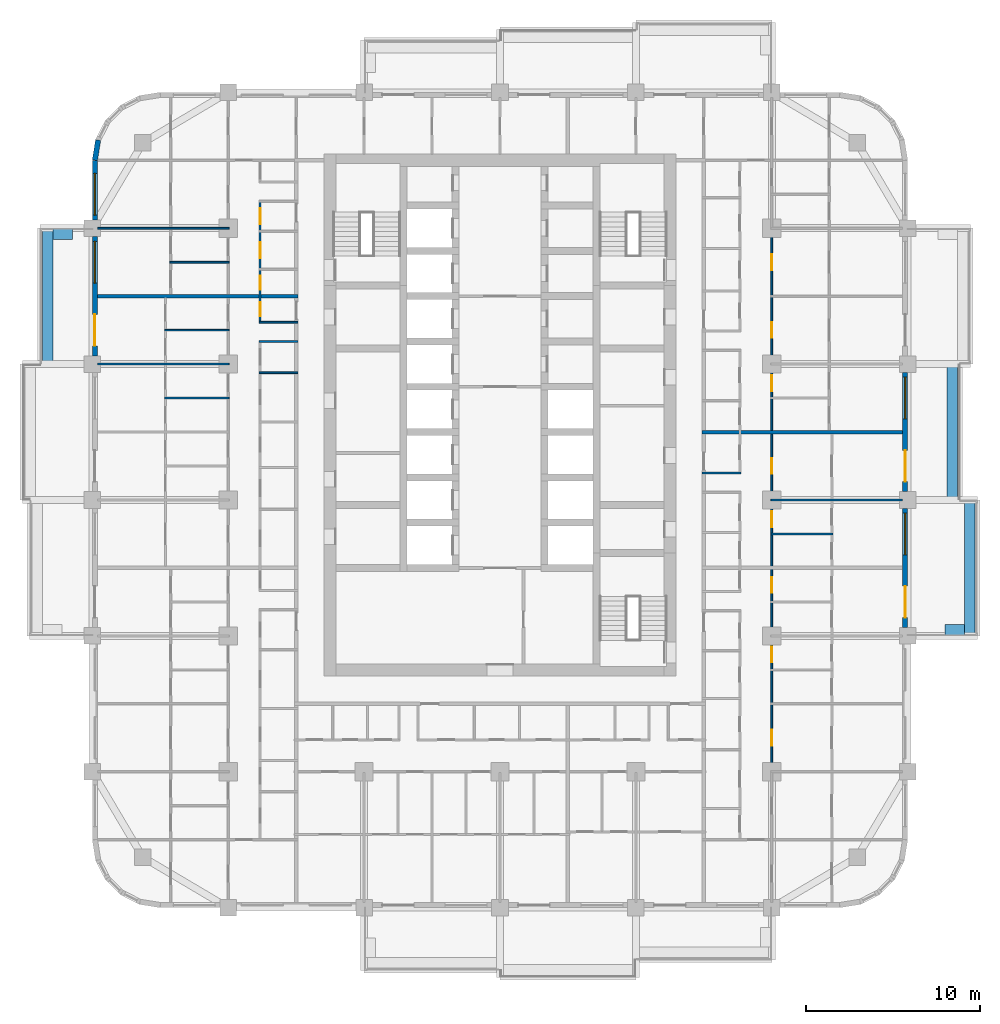
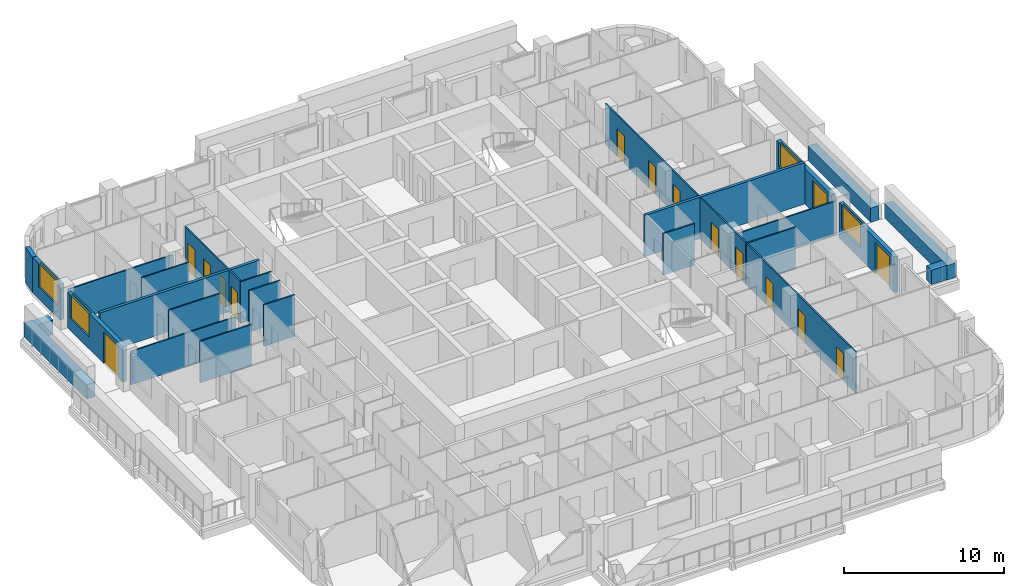
# One storey, part 9 of 17: 25 walls, 15 doors, 4 windows, 19 openings.
"""IFC4 building model written with IfcOpenShell, lengths in metres."""

from ifc_helpers import new_model, si_unit, direction, frame, frame_2d, origin, place, context, subcontext, project, spatial, rectangle, extrude, material, layer, layer_set, type_object, element, fill, save


model = new_model("IFC4")

# Units and contexts
model_context = context("Model", 3, precision=1e-05, world=origin(), true_north=direction((0.0, 1.0)))
body_context = subcontext(model_context, "Body", "Model", "MODEL_VIEW")
ifc_project = project(units=[si_unit("LENGTHUNIT", "METRE"), si_unit("AREAUNIT", "SQUARE_METRE"), si_unit("VOLUMEUNIT", "CUBIC_METRE"), si_unit("PLANEANGLEUNIT", "RADIAN"), si_unit("MASSUNIT", "GRAM", prefix="KILO")], contexts=[model_context])

# Site, building, storey
site_placement = place(None, origin())
site = spatial("IfcSite", under=ifc_project, at=site_placement, CompositionType="ELEMENT")
building_placement = place(site_placement, origin())
building = spatial("IfcBuilding", under=site, at=building_placement, Name="Ludao Terraces", CompositionType="ELEMENT")
storey_placement = place(building_placement, frame((0.0, 0.0, 88.60009765625)))
storey = spatial("IfcBuildingStorey", under=building, at=storey_placement, Name="L24", CompositionType="ELEMENT", Elevation=88.60009765625)

# Walls
ifc_material_1 = material(Name="Concrete C40", Category="concrete")
ifc_layer_1 = layer(ifc_material_1, 0.60009765625)
ifc_layer_set_1 = layer_set([ifc_layer_1], Name="ENV Planter trough 600")
wall_type_1 = type_object("IfcWallType", Name="ENV Planter trough 600", PredefinedType="USERDEFINED", material=ifc_layer_set_1)
wall_1_placement = place(storey_placement, frame((111.949951171875, 57.199951171875, 0.0), z_axis=(0.0, 0.0, 1.0), x_axis=(0.0, 1.0, 0.0)))
element("IfcWall", 1, at=wall_1_placement, inside=storey, type_object=wall_type_1, Name="PL-L24-E2", ObjectType="PLANTER", PredefinedType="USERDEFINED", context=body_context, shape_type="SweptSolid", body=[
    extrude(rectangle(XDim=7.800048828125, YDim=0.60009765625, at=frame_2d((3.89990234375, 0.0))), origin(), (0.0, 0.0, 1.0), 1.099853515625),
])
wall_2_placement = place(storey_placement, frame((111.64990234375, 57.550048828125, 0.0), z_axis=(0.0, 0.0, 1.0), x_axis=(-1.0, 0.0, 0.0)))
element("IfcWall", 2, at=wall_2_placement, inside=storey, type_object=wall_type_1, Name="PL-L24-E2-SA", ObjectType="PLANTER", PredefinedType="USERDEFINED", context=body_context, shape_type="SweptSolid", body=[
    extrude(rectangle(XDim=1.099853515625, YDim=0.60009765625, at=frame_2d((0.5498046875, 0.0))), origin(), (0.0, 0.0, 1.0), 1.099853515625),
])
for number, where, z_axis, x_axis, name in (
    (3, (110.949951171875, 65.0, 0.0), (0.0, 0.0, 1.0), (0.0, 1.0, 0.0), "PL-L24-E3"),
    (4, (59.050048828125, 72.800048828125, 0.0), (0.0, 0.0, 1.0), (0.0, 1.0, 0.0), "PL-L24-W4"),
):
    element("IfcWall", number, at=place(storey_placement, frame(where, z_axis=z_axis, x_axis=x_axis)), inside=storey, type_object=wall_type_1, Name=name, ObjectType="PLANTER", PredefinedType="USERDEFINED", context=body_context, shape_type="SweptSolid", body=[
        extrude(rectangle(XDim=7.800048828125, YDim=0.60009765625, at=frame_2d((3.89990234375, 0.0))), origin(), (0.0, 0.0, 1.0), 1.099853515625),
    ])
wall_3_placement = place(storey_placement, frame((59.35009765625, 80.25, 0.0), z_axis=(0.0, 0.0, 1.0), x_axis=(1.0, 0.0, 0.0)))
element("IfcWall", 5, at=wall_3_placement, inside=storey, type_object=wall_type_1, Name="PL-L24-W4-SB", ObjectType="PLANTER", PredefinedType="USERDEFINED", context=body_context, shape_type="SweptSolid", body=[
    extrude(rectangle(XDim=1.099853515625, YDim=0.60009765625, at=frame_2d((0.5498046875, 0.0))), origin(), (0.0, 0.0, 1.0), 1.099853515625),
])

# Wall, openings, door, window
ifc_material_2 = material(Name="Granite cladding", Category="masonry")
ifc_layer_2 = layer(ifc_material_2, 0.0400390625, Category="stone")
ifc_material_3 = material(Name="Mineral wool")
ifc_layer_3 = layer(ifc_material_3, 0.06005859375)
ifc_layer_4 = layer(ifc_material_1, 0.199951171875, Category="concrete")
ifc_layer_set_2 = layer_set([ifc_layer_2, ifc_layer_3, ifc_layer_4], Name="ENV Stone-clad wall 300")
wall_type_2 = type_object("IfcWallType", Name="ENV Stone-clad wall 300", PredefinedType="SOLIDWALL", material=ifc_layer_set_2)
wall_4_placement = place(storey_placement, frame((108.25, 57.675048828125, 0.0), z_axis=(0.0, 0.0, 1.0), x_axis=(0.0, 1.0, 0.0)))
wall_4 = element("IfcWall", 6, at=wall_4_placement, inside=storey, type_object=wall_type_2, Name="EW-L24-E3", PredefinedType="SOLIDWALL", context=body_context, shape_type="SweptSolid", body=[
    extrude(rectangle(XDim=6.849853515625, YDim=0.300048828125, at=frame_2d((3.4248046875, 0.0))), origin(), (0.0, 0.0, 1.0), 2.699951171875),
])
opening_1_placement = place(wall_4_placement, frame((0.574951171875, 0.0, 0.0)))
opening_1 = element("IfcOpeningElement", 7, at=opening_1_placement, cuts=wall_4, Name="Opening BD", PredefinedType="OPENING", context=body_context, shape_type="SweptSolid", body=[
    extrude(rectangle(XDim=1.800048828125, YDim=2.39990234375, at=frame_2d((0.89990234375, 1.199951171875))), frame((0.0, 0.16015625, 0.0), z_axis=(0.0, -1.0, 0.0), x_axis=(1.0, 0.0, 0.0)), (0.0, 0.0, 1.0), 0.320068359375),
])
opening_2_placement = place(wall_4_placement, frame((4.175048828125, 0.0, 0.89990234375)))
opening_2 = element("IfcOpeningElement", 8, at=opening_2_placement, cuts=wall_4, Name="Opening W1", PredefinedType="OPENING", context=body_context, shape_type="SweptSolid", body=[
    extrude(rectangle(XDim=2.39990234375, YDim=1.800048828125, at=frame_2d((1.199951171875, 0.89990234375))), frame((0.0, 0.16015625, 0.0), z_axis=(0.0, -1.0, 0.0), x_axis=(1.0, 0.0, 0.0)), (0.0, 0.0, 1.0), 0.320068359375),
])
ifc_material_4 = material(Name="Aluminium glazed door", Category="aluminium")
ifc_layer_5 = layer(ifc_material_4, 0.06005859375)
ifc_layer_set_3 = layer_set([ifc_layer_5], Name="ENV Balcony door BD 1800x2400")
door_type_1 = type_object("IfcDoorType", Name="ENV Balcony door BD 1800x2400", OperationType="DOUBLE_DOOR_SINGLE_SWING", PredefinedType="DOOR", material=ifc_layer_set_3)
door_1_placement = place(opening_1_placement, origin())
door_1 = element("IfcDoor", 9, at=door_1_placement, inside=storey, type_object=door_type_1, Name="BD-L24-E3-1", OperationType="DOUBLE_DOOR_SINGLE_SWING", OverallHeight=2.39990234375, OverallWidth=1.800048828125, PredefinedType="DOOR", context=body_context, shape_type="SweptSolid", body=[
    extrude(rectangle(XDim=1.800048828125, YDim=2.39990234375, at=frame_2d((0.89990234375, 1.199951171875))), frame((0.0, 0.02490234375, 0.0), z_axis=(0.0, -1.0, 0.0), x_axis=(1.0, 0.0, 0.0)), (0.0, 0.0, 1.0), 0.050048828125),
])
fill(opening_1, door_1)
ifc_material_5 = material(Name="Clear glass in aluminium frame", Category="aluminium")
ifc_layer_6 = layer(ifc_material_5, 0.06005859375)
ifc_layer_set_4 = layer_set([ifc_layer_6], Name="ENV Window W1 2400x1800")
window_type = type_object("IfcWindowType", Name="ENV Window W1 2400x1800", PartitioningType="DOUBLE_PANEL_VERTICAL", PredefinedType="WINDOW", material=ifc_layer_set_4)
window_1_placement = place(opening_2_placement, origin())
window_1 = element("IfcWindow", 10, at=window_1_placement, inside=storey, type_object=window_type, Name="W-L24-E3-2", OverallHeight=1.800048828125, OverallWidth=2.39990234375, PartitioningType="DOUBLE_PANEL_VERTICAL", PredefinedType="WINDOW", context=body_context, shape_type="SweptSolid", body=[
    extrude(rectangle(XDim=2.39990234375, YDim=1.800048828125, at=frame_2d((1.199951171875, 0.89990234375))), frame((0.0, 0.030029296875, 0.0), z_axis=(0.0, -1.0, 0.0), x_axis=(1.0, 0.0, 0.0)), (0.0, 0.0, 1.0), 0.06005859375),
])
fill(opening_2, window_1)

wall_5_placement = place(storey_placement, frame((108.25, 65.47509765625, 0.0), z_axis=(0.0, 0.0, 1.0), x_axis=(0.0, 1.0, 0.0)))
wall_5 = element("IfcWall", 11, at=wall_5_placement, inside=storey, type_object=wall_type_2, Name="EW-L24-E4", PredefinedType="SOLIDWALL", context=body_context, shape_type="SweptSolid", body=[
    extrude(rectangle(XDim=6.849853515625, YDim=0.300048828125, at=frame_2d((3.4248046875, 0.0))), origin(), (0.0, 0.0, 1.0), 2.699951171875),
])
opening_3_placement = place(wall_5_placement, frame((0.574951171875, 0.0, 0.0)))
opening_3 = element("IfcOpeningElement", 12, at=opening_3_placement, cuts=wall_5, Name="Opening BD", PredefinedType="OPENING", context=body_context, shape_type="SweptSolid", body=[
    extrude(rectangle(XDim=1.800048828125, YDim=2.39990234375, at=frame_2d((0.89990234375, 1.199951171875))), frame((0.0, 0.16015625, 0.0), z_axis=(0.0, -1.0, 0.0), x_axis=(1.0, 0.0, 0.0)), (0.0, 0.0, 1.0), 0.320068359375),
])
opening_4_placement = place(wall_5_placement, frame((4.175048828125, 0.0, 0.89990234375)))
opening_4 = element("IfcOpeningElement", 13, at=opening_4_placement, cuts=wall_5, Name="Opening W1", PredefinedType="OPENING", context=body_context, shape_type="SweptSolid", body=[
    extrude(rectangle(XDim=2.39990234375, YDim=1.800048828125, at=frame_2d((1.199951171875, 0.89990234375))), frame((0.0, 0.16015625, 0.0), z_axis=(0.0, -1.0, 0.0), x_axis=(1.0, 0.0, 0.0)), (0.0, 0.0, 1.0), 0.320068359375),
])
door_2_placement = place(opening_3_placement, origin())
door_2 = element("IfcDoor", 14, at=door_2_placement, inside=storey, type_object=door_type_1, Name="BD-L24-E4-1", OperationType="DOUBLE_DOOR_SINGLE_SWING", OverallHeight=2.39990234375, OverallWidth=1.800048828125, PredefinedType="DOOR", context=body_context, shape_type="SweptSolid", body=[
    extrude(rectangle(XDim=1.800048828125, YDim=2.39990234375, at=frame_2d((0.89990234375, 1.199951171875))), frame((0.0, 0.02490234375, 0.0), z_axis=(0.0, -1.0, 0.0), x_axis=(1.0, 0.0, 0.0)), (0.0, 0.0, 1.0), 0.050048828125),
])
fill(opening_3, door_2)
window_2_placement = place(opening_4_placement, origin())
window_2 = element("IfcWindow", 15, at=window_2_placement, inside=storey, type_object=window_type, Name="W-L24-E4-2", OverallHeight=1.800048828125, OverallWidth=2.39990234375, PartitioningType="DOUBLE_PANEL_VERTICAL", PredefinedType="WINDOW", context=body_context, shape_type="SweptSolid", body=[
    extrude(rectangle(XDim=2.39990234375, YDim=1.800048828125, at=frame_2d((1.199951171875, 0.89990234375))), frame((0.0, 0.030029296875, 0.0), z_axis=(0.0, -1.0, 0.0), x_axis=(1.0, 0.0, 0.0)), (0.0, 0.0, 1.0), 0.06005859375),
])
fill(opening_4, window_2)

wall_6_placement = place(storey_placement, frame((61.75, 73.27490234375, 0.0), z_axis=(0.0, 0.0, 1.0), x_axis=(0.0, 1.0, 0.0)))
wall_6 = element("IfcWall", 16, at=wall_6_placement, inside=storey, type_object=wall_type_2, Name="EW-L24-W5", PredefinedType="SOLIDWALL", context=body_context, shape_type="SweptSolid", body=[
    extrude(rectangle(XDim=6.85009765625, YDim=0.300048828125, at=frame_2d((3.425048828125, 0.0))), origin(), (0.0, 0.0, 1.0), 2.699951171875),
])
opening_5_placement = place(wall_6_placement, frame((0.574951171875, 0.0, 0.0)))
opening_5 = element("IfcOpeningElement", 17, at=opening_5_placement, cuts=wall_6, Name="Opening BD", PredefinedType="OPENING", context=body_context, shape_type="SweptSolid", body=[
    extrude(rectangle(XDim=1.800048828125, YDim=2.39990234375, at=frame_2d((0.89990234375, 1.199951171875))), frame((0.0, 0.16015625, 0.0), z_axis=(0.0, -1.0, 0.0), x_axis=(1.0, 0.0, 0.0)), (0.0, 0.0, 1.0), 0.320068359375),
])
opening_6_placement = place(wall_6_placement, frame((4.175048828125, 0.0, 0.89990234375)))
opening_6 = element("IfcOpeningElement", 18, at=opening_6_placement, cuts=wall_6, Name="Opening W1", PredefinedType="OPENING", context=body_context, shape_type="SweptSolid", body=[
    extrude(rectangle(XDim=2.39990234375, YDim=1.800048828125, at=frame_2d((1.199951171875, 0.89990234375))), frame((0.0, 0.16015625, 0.0), z_axis=(0.0, -1.0, 0.0), x_axis=(1.0, 0.0, 0.0)), (0.0, 0.0, 1.0), 0.320068359375),
])
door_3_placement = place(opening_5_placement, origin())
door_3 = element("IfcDoor", 19, at=door_3_placement, inside=storey, type_object=door_type_1, Name="BD-L24-W5-1", OperationType="DOUBLE_DOOR_SINGLE_SWING", OverallHeight=2.39990234375, OverallWidth=1.800048828125, PredefinedType="DOOR", context=body_context, shape_type="SweptSolid", body=[
    extrude(rectangle(XDim=1.800048828125, YDim=2.39990234375, at=frame_2d((0.89990234375, 1.199951171875))), frame((0.0, 0.02490234375, 0.0), z_axis=(0.0, -1.0, 0.0), x_axis=(1.0, 0.0, 0.0)), (0.0, 0.0, 1.0), 0.050048828125),
])
fill(opening_5, door_3)
window_3_placement = place(opening_6_placement, origin())
window_3 = element("IfcWindow", 20, at=window_3_placement, inside=storey, type_object=window_type, Name="W-L24-W5-2", OverallHeight=1.800048828125, OverallWidth=2.39990234375, PartitioningType="DOUBLE_PANEL_VERTICAL", PredefinedType="WINDOW", context=body_context, shape_type="SweptSolid", body=[
    extrude(rectangle(XDim=2.39990234375, YDim=1.800048828125, at=frame_2d((1.199951171875, 0.89990234375))), frame((0.0, 0.030029296875, 0.0), z_axis=(0.0, -1.0, 0.0), x_axis=(1.0, 0.0, 0.0)), (0.0, 0.0, 1.0), 0.06005859375),
])
fill(opening_6, window_3)

# Wall, opening, window
wall_7_placement = place(storey_placement, frame((61.75, 81.074951171875, 0.0), z_axis=(0.0, 0.0, 1.0), x_axis=(0.0, 1.0, 0.0)))
wall_7 = element("IfcWall", 21, at=wall_7_placement, inside=storey, type_object=wall_type_2, Name="EW-L24-W6", PredefinedType="SOLIDWALL", context=body_context, shape_type="SweptSolid", body=[
    extrude(rectangle(XDim=3.425048828125, YDim=0.300048828125, at=frame_2d((1.71240234375, 0.0))), origin(), (0.0, 0.0, 1.0), 2.699951171875),
])
opening_7_placement = place(wall_7_placement, frame((0.27490234375, 0.0, 0.89990234375)))
opening_7 = element("IfcOpeningElement", 22, at=opening_7_placement, cuts=wall_7, Name="Opening W1", PredefinedType="OPENING", context=body_context, shape_type="SweptSolid", body=[
    extrude(rectangle(XDim=2.39990234375, YDim=1.800048828125, at=frame_2d((1.199951171875, 0.89990234375))), frame((0.0, 0.16015625, 0.0), z_axis=(0.0, -1.0, 0.0), x_axis=(1.0, 0.0, 0.0)), (0.0, 0.0, 1.0), 0.320068359375),
])
window_4_placement = place(opening_7_placement, origin())
window_4 = element("IfcWindow", 23, at=window_4_placement, inside=storey, type_object=window_type, Name="W-L24-W6-1", OverallHeight=1.800048828125, OverallWidth=2.39990234375, PartitioningType="DOUBLE_PANEL_VERTICAL", PredefinedType="WINDOW", context=body_context, shape_type="SweptSolid", body=[
    extrude(rectangle(XDim=2.39990234375, YDim=1.800048828125, at=frame_2d((1.199951171875, 0.89990234375))), frame((0.0, 0.030029296875, 0.0), z_axis=(0.0, -1.0, 0.0), x_axis=(1.0, 0.0, 0.0)), (0.0, 0.0, 1.0), 0.06005859375),
])
fill(opening_7, window_4)

# Walls
wall_8_placement = place(storey_placement, frame((61.93359375, 85.65869140625, 0.0), z_axis=(0.0, 0.0, 1.0), x_axis=(-0.156496880861, -0.987678452879, 0.0)))
element("IfcWall", 24, at=wall_8_placement, inside=storey, type_object=wall_type_2, Name="EW-L24-NW5", PredefinedType="SOLIDWALL", context=body_context, shape_type="SweptSolid", body=[
    extrude(rectangle(XDim=1.173095703125, YDim=0.300048828125, at=frame_2d((0.58642578125, 0.0))), origin(), (0.0, 0.0, 1.0), 2.699951171875),
])
ifc_material_6 = material(Name="Gypsum plasterboard", Category="gypsum")
ifc_layer_7 = layer(ifc_material_6, 0.012451171875, Category="gypsum")
ifc_layer_8 = layer(ifc_material_3, 0.06005859375, Name="insulation")
ifc_material_7 = material(Name="Steel Q235", Category="steel")
ifc_layer_9 = layer(ifc_material_7, 0.014892578125, Name="stud")
ifc_layer_10 = layer(ifc_material_6, 0.012451171875, Category="gypsum")
ifc_layer_set_5 = layer_set([ifc_layer_7, ifc_layer_8, ifc_layer_9, ifc_layer_10], Name="INT Partition 100")
wall_type_3 = type_object("IfcWallType", Name="INT Partition 100", PredefinedType="PARTITIONING", material=ifc_layer_set_5)
wall_9_placement = place(storey_placement, frame((100.550048828125, 63.050048828125, 0.0), z_axis=(0.0, 0.0, 1.0), x_axis=(1.0, 0.0, 0.0)))
element("IfcWall", 25, at=wall_9_placement, inside=storey, type_object=wall_type_3, Name="PW-L24-PW035", PredefinedType="PARTITIONING", context=body_context, shape_type="SweptSolid", body=[
    extrude(rectangle(XDim=3.550048828125, YDim=0.10009765625, at=frame_2d((1.77490234375, 0.0))), origin(), (0.0, 0.0, 1.0), 3.14990234375),
])
wall_10_placement = place(storey_placement, frame((100.550048828125, 65.0, 0.0), z_axis=(0.0, 0.0, 1.0), x_axis=(1.0, 0.0, 0.0)))
element("IfcWall", 26, at=wall_10_placement, inside=storey, type_object=wall_type_3, Name="PW-L24-PW039", PredefinedType="PARTITIONING", context=body_context, shape_type="SweptSolid", body=[
    extrude(rectangle(XDim=7.550048828125, YDim=0.10009765625, at=frame_2d((3.77490234375, 0.0))), origin(), (0.0, 0.0, 1.0), 2.5498046875),
])
wall_11_placement = place(storey_placement, frame((96.60009765625, 66.550048828125, 0.0), z_axis=(0.0, 0.0, 1.0), x_axis=(1.0, 0.0, 0.0)))
element("IfcWall", 27, at=wall_11_placement, inside=storey, type_object=wall_type_3, Name="PW-L24-PW041", PredefinedType="PARTITIONING", context=body_context, shape_type="SweptSolid", body=[
    extrude(rectangle(XDim=2.219970703125, YDim=0.10009765625, at=frame_2d((1.10986328125, 0.0))), origin(), (0.0, 0.0, 1.0), 3.14990234375),
])
wall_12_placement = place(storey_placement, frame((65.75, 70.85009765625, 0.0), z_axis=(0.0, 0.0, 1.0), x_axis=(1.0, 0.0, 0.0)))
element("IfcWall", 28, at=wall_12_placement, inside=storey, type_object=wall_type_3, Name="PW-L24-PW050", PredefinedType="PARTITIONING", context=body_context, shape_type="SweptSolid", body=[
    extrude(rectangle(XDim=3.7001953125, YDim=0.10009765625, at=frame_2d((1.85009765625, 0.0))), origin(), (0.0, 0.0, 1.0), 3.14990234375),
])
wall_13_placement = place(storey_placement, frame((71.18017578125, 72.300048828125, 0.0), z_axis=(0.0, 0.0, 1.0), x_axis=(1.0, 0.0, 0.0)))
element("IfcWall", 29, at=wall_13_placement, inside=storey, type_object=wall_type_3, Name="PW-L24-PW053", PredefinedType="PARTITIONING", context=body_context, shape_type="SweptSolid", body=[
    extrude(rectangle(XDim=2.219970703125, YDim=0.10009765625, at=frame_2d((1.10986328125, 0.0))), origin(), (0.0, 0.0, 1.0), 3.14990234375),
])
wall_14_placement = place(storey_placement, frame((61.900146484375, 72.800048828125, 0.0), z_axis=(0.0, 0.0, 1.0), x_axis=(1.0, 0.0, 0.0)))
element("IfcWall", 30, at=wall_14_placement, inside=storey, type_object=wall_type_3, Name="PW-L24-PW054", PredefinedType="PARTITIONING", context=body_context, shape_type="SweptSolid", body=[
    extrude(rectangle(XDim=7.550048828125, YDim=0.10009765625, at=frame_2d((3.77490234375, 0.0))), origin(), (0.0, 0.0, 1.0), 2.5498046875),
])
wall_15_placement = place(storey_placement, frame((71.18017578125, 74.10009765625, 0.0), z_axis=(0.0, 0.0, 1.0), x_axis=(1.0, 0.0, 0.0)))
element("IfcWall", 31, at=wall_15_placement, inside=storey, type_object=wall_type_3, Name="PW-L24-PW057", PredefinedType="PARTITIONING", context=body_context, shape_type="SweptSolid", body=[
    extrude(rectangle(XDim=2.219970703125, YDim=0.10009765625, at=frame_2d((1.10986328125, 0.0))), origin(), (0.0, 0.0, 1.0), 3.14990234375),
])
wall_16_placement = place(storey_placement, frame((65.75, 74.75, 0.0), z_axis=(0.0, 0.0, 1.0), x_axis=(1.0, 0.0, 0.0)))
element("IfcWall", 32, at=wall_16_placement, inside=storey, type_object=wall_type_3, Name="PW-L24-PW059", PredefinedType="PARTITIONING", context=body_context, shape_type="SweptSolid", body=[
    extrude(rectangle(XDim=3.7001953125, YDim=0.10009765625, at=frame_2d((1.85009765625, 0.0))), origin(), (0.0, 0.0, 1.0), 3.14990234375),
])
wall_17_placement = place(storey_placement, frame((71.18017578125, 75.199951171875, 0.0), z_axis=(0.0, 0.0, 1.0), x_axis=(1.0, 0.0, 0.0)))
element("IfcWall", 33, at=wall_17_placement, inside=storey, type_object=wall_type_3, Name="PW-L24-PW060", PredefinedType="PARTITIONING", context=body_context, shape_type="SweptSolid", body=[
    extrude(rectangle(XDim=2.219970703125, YDim=0.10009765625, at=frame_2d((1.10986328125, 0.0))), origin(), (0.0, 0.0, 1.0), 3.14990234375),
])
wall_18_placement = place(storey_placement, frame((66.050048828125, 78.64990234375, 0.0), z_axis=(0.0, 0.0, 1.0), x_axis=(1.0, 0.0, 0.0)))
element("IfcWall", 34, at=wall_18_placement, inside=storey, type_object=wall_type_3, Name="PW-L24-PW066", PredefinedType="PARTITIONING", context=body_context, shape_type="SweptSolid", body=[
    extrude(rectangle(XDim=3.400146484375, YDim=0.10009765625, at=frame_2d((1.7001953125, 0.0))), origin(), (0.0, 0.0, 1.0), 3.14990234375),
])
wall_19_placement = place(storey_placement, frame((61.900146484375, 80.60009765625, 0.0), z_axis=(0.0, 0.0, 1.0), x_axis=(1.0, 0.0, 0.0)))
element("IfcWall", 35, at=wall_19_placement, inside=storey, type_object=wall_type_3, Name="PW-L24-PW069", PredefinedType="PARTITIONING", context=body_context, shape_type="SweptSolid", body=[
    extrude(rectangle(XDim=7.550048828125, YDim=0.10009765625, at=frame_2d((3.77490234375, 0.0))), origin(), (0.0, 0.0, 1.0), 2.5498046875),
])

# Wall, openings, doors
wall_20_placement = place(storey_placement, frame((71.22998046875, 75.25, 0.0), z_axis=(0.0, 0.0, 1.0), x_axis=(0.0, 1.0, 0.0)))
wall_20 = element("IfcWall", 36, at=wall_20_placement, inside=storey, type_object=wall_type_3, Name="PW-L24-PW085", PredefinedType="PARTITIONING", context=body_context, shape_type="SweptSolid", body=[
    extrude(rectangle(XDim=6.85009765625, YDim=0.10009765625, at=frame_2d((3.425048828125, 0.0))), origin(), (0.0, 0.0, 1.0), 3.14990234375),
])
opening_8_placement = place(wall_20_placement, frame((0.300048828125, 0.0, 0.0)))
opening_8 = element("IfcOpeningElement", 37, at=opening_8_placement, cuts=wall_20, Name="Opening R07-125", PredefinedType="OPENING", context=body_context, shape_type="SweptSolid", body=[
    extrude(rectangle(XDim=0.800048828125, YDim=2.10009765625, at=frame_2d((0.39990234375, 1.050048828125))), frame((0.0, 0.06005859375, 0.0), z_axis=(0.0, -1.0, 0.0), x_axis=(1.0, 0.0, 0.0)), (0.0, 0.0, 1.0), 0.1201171875),
])
opening_9_placement = place(wall_20_placement, frame((1.8251953125, 0.0, 0.0)))
opening_9 = element("IfcOpeningElement", 38, at=opening_9_placement, cuts=wall_20, Name="Opening R07-127", PredefinedType="OPENING", context=body_context, shape_type="SweptSolid", body=[
    extrude(rectangle(XDim=0.800048828125, YDim=2.10009765625, at=frame_2d((0.39990234375, 1.050048828125))), frame((0.0, 0.06005859375, 0.0), z_axis=(0.0, -1.0, 0.0), x_axis=(1.0, 0.0, 0.0)), (0.0, 0.0, 1.0), 0.1201171875),
])
opening_10_placement = place(wall_20_placement, frame((3.635009765625, 0.0, 0.0)))
opening_10 = element("IfcOpeningElement", 39, at=opening_10_placement, cuts=wall_20, Name="Opening R07-136", PredefinedType="OPENING", context=body_context, shape_type="SweptSolid", body=[
    extrude(rectangle(XDim=0.89990234375, YDim=2.10009765625, at=frame_2d((0.449951171875, 1.050048828125))), frame((0.0, 0.06005859375, 0.0), z_axis=(0.0, -1.0, 0.0), x_axis=(1.0, 0.0, 0.0)), (0.0, 0.0, 1.0), 0.1201171875),
])
opening_11_placement = place(wall_20_placement, frame((5.585205078125, 0.0, 0.0)))
opening_11 = element("IfcOpeningElement", 40, at=opening_11_placement, cuts=wall_20, Name="Opening R07-142", PredefinedType="OPENING", context=body_context, shape_type="SweptSolid", body=[
    extrude(rectangle(XDim=0.89990234375, YDim=2.10009765625, at=frame_2d((0.449951171875, 1.050048828125))), frame((0.0, 0.06005859375, 0.0), z_axis=(0.0, -1.0, 0.0), x_axis=(1.0, 0.0, 0.0)), (0.0, 0.0, 1.0), 0.1201171875),
])
ifc_material_8 = material(Name="Timber door leaf", Category="wood")
door_type_2 = type_object("IfcDoorType", Name="INT Bathroom door 900", OperationType="SINGLE_SWING_LEFT", PredefinedType="DOOR", material=ifc_material_8)
door_4_placement = place(opening_11_placement, origin())
door_4 = element("IfcDoor", 41, at=door_4_placement, inside=storey, type_object=door_type_2, Name="DOOR 142", OperationType="SINGLE_SWING_RIGHT", OverallHeight=2.10009765625, OverallWidth=0.89990234375, PredefinedType="DOOR", context=body_context, shape_type="SweptSolid", body=[
    extrude(rectangle(XDim=0.89990234375, YDim=2.10009765625, at=frame_2d((0.449951171875, 1.050048828125))), frame((0.0, 0.02490234375, 0.0), z_axis=(0.0, -1.0, 0.0), x_axis=(1.0, 0.0, 0.0)), (0.0, 0.0, 1.0), 0.050048828125),
])
fill(opening_11, door_4)
door_type_3 = type_object("IfcDoorType", Name="INT Room door 900", OperationType="SINGLE_SWING_LEFT", PredefinedType="DOOR", material=ifc_material_8)
door_5_placement = place(opening_10_placement, origin())
door_5 = element("IfcDoor", 42, at=door_5_placement, inside=storey, type_object=door_type_3, Name="DOOR 136", OperationType="SINGLE_SWING_LEFT", OverallHeight=2.10009765625, OverallWidth=0.89990234375, PredefinedType="DOOR", context=body_context, shape_type="SweptSolid", body=[
    extrude(rectangle(XDim=0.89990234375, YDim=2.10009765625, at=frame_2d((0.449951171875, 1.050048828125))), frame((0.0, 0.02490234375, 0.0), z_axis=(0.0, -1.0, 0.0), x_axis=(1.0, 0.0, 0.0)), (0.0, 0.0, 1.0), 0.050048828125),
])
fill(opening_10, door_5)
door_type_4 = type_object("IfcDoorType", Name="INT Store door 800", OperationType="SINGLE_SWING_LEFT", PredefinedType="DOOR", material=ifc_material_8)
door_6_placement = place(opening_8_placement, origin())
door_6 = element("IfcDoor", 43, at=door_6_placement, inside=storey, type_object=door_type_4, Name="DOOR 125", OperationType="SINGLE_SWING_LEFT", OverallHeight=2.10009765625, OverallWidth=0.800048828125, PredefinedType="DOOR", context=body_context, shape_type="SweptSolid", body=[
    extrude(rectangle(XDim=0.800048828125, YDim=2.10009765625, at=frame_2d((0.39990234375, 1.050048828125))), frame((0.0, 0.02490234375, 0.0), z_axis=(0.0, -1.0, 0.0), x_axis=(1.0, 0.0, 0.0)), (0.0, 0.0, 1.0), 0.050048828125),
])
fill(opening_8, door_6)
door_7_placement = place(opening_9_placement, origin())
door_7 = element("IfcDoor", 44, at=door_7_placement, inside=storey, type_object=door_type_4, Name="DOOR 127", OperationType="SINGLE_SWING_RIGHT", OverallHeight=2.10009765625, OverallWidth=0.800048828125, PredefinedType="DOOR", context=body_context, shape_type="SweptSolid", body=[
    extrude(rectangle(XDim=0.800048828125, YDim=2.10009765625, at=frame_2d((0.39990234375, 1.050048828125))), frame((0.0, 0.02490234375, 0.0), z_axis=(0.0, -1.0, 0.0), x_axis=(1.0, 0.0, 0.0)), (0.0, 0.0, 1.0), 0.050048828125),
])
fill(opening_9, door_7)

wall_21_placement = place(storey_placement, frame((100.60009765625, 49.39990234375, 0.0), z_axis=(0.0, 0.0, 1.0), x_axis=(0.0, 1.0, 0.0)))
wall_21 = element("IfcWall", 45, at=wall_21_placement, inside=storey, type_object=wall_type_3, Name="PW-L24-PW121-2", PredefinedType="PARTITIONING", context=body_context, shape_type="SweptSolid", body=[
    extrude(rectangle(XDim=31.2001953125, YDim=0.10009765625, at=frame_2d((15.60009765625, 0.0))), origin(), (0.0, 0.0, 1.0), 3.14990234375),
])
opening_12_placement = place(wall_21_placement, frame((1.500244140625, 0.0, 0.0)))
opening_12 = element("IfcOpeningElement", 46, at=opening_12_placement, cuts=wall_21, Name="Opening R07-043", PredefinedType="OPENING", context=body_context, shape_type="SweptSolid", body=[
    extrude(rectangle(XDim=0.89990234375, YDim=2.10009765625, at=frame_2d((0.449951171875, 1.050048828125))), frame((0.0, 0.06005859375, 0.0), z_axis=(0.0, -1.0, 0.0), x_axis=(1.0, 0.0, 0.0)), (0.0, 0.0, 1.0), 0.1201171875),
])
opening_13_placement = place(wall_21_placement, frame((6.275146484375, 0.0, 0.0)))
opening_13 = element("IfcOpeningElement", 47, at=opening_13_placement, cuts=wall_21, Name="Opening R07-055", PredefinedType="OPENING", context=body_context, shape_type="SweptSolid", body=[
    extrude(rectangle(XDim=0.89990234375, YDim=2.10009765625, at=frame_2d((0.449951171875, 1.050048828125))), frame((0.0, 0.06005859375, 0.0), z_axis=(0.0, -1.0, 0.0), x_axis=(1.0, 0.0, 0.0)), (0.0, 0.0, 1.0), 0.1201171875),
])
opening_14_placement = place(wall_21_placement, frame((10.275146484375, 0.0, 0.0)))
opening_14 = element("IfcOpeningElement", 48, at=opening_14_placement, cuts=wall_21, Name="Opening R07-068", PredefinedType="OPENING", context=body_context, shape_type="SweptSolid", body=[
    extrude(rectangle(XDim=0.89990234375, YDim=2.10009765625, at=frame_2d((0.449951171875, 1.050048828125))), frame((0.0, 0.06005859375, 0.0), z_axis=(0.0, -1.0, 0.0), x_axis=(1.0, 0.0, 0.0)), (0.0, 0.0, 1.0), 0.1201171875),
])
opening_15_placement = place(wall_21_placement, frame((14.05029296875, 0.0, 0.0)))
opening_15 = element("IfcOpeningElement", 49, at=opening_15_placement, cuts=wall_21, Name="Opening R07-081", PredefinedType="OPENING", context=body_context, shape_type="SweptSolid", body=[
    extrude(rectangle(XDim=0.89990234375, YDim=2.10009765625, at=frame_2d((0.449951171875, 1.050048828125))), frame((0.0, 0.06005859375, 0.0), z_axis=(0.0, -1.0, 0.0), x_axis=(1.0, 0.0, 0.0)), (0.0, 0.0, 1.0), 0.1201171875),
])
opening_16_placement = place(wall_21_placement, frame((17.10009765625, 0.0, 0.0)))
opening_16 = element("IfcOpeningElement", 50, at=opening_16_placement, cuts=wall_21, Name="Opening R07-088", PredefinedType="OPENING", context=body_context, shape_type="SweptSolid", body=[
    extrude(rectangle(XDim=0.89990234375, YDim=2.10009765625, at=frame_2d((0.449951171875, 1.050048828125))), frame((0.0, 0.06005859375, 0.0), z_axis=(0.0, -1.0, 0.0), x_axis=(1.0, 0.0, 0.0)), (0.0, 0.0, 1.0), 0.1201171875),
])
opening_17_placement = place(wall_21_placement, frame((21.85009765625, 0.0, 0.0)))
opening_17 = element("IfcOpeningElement", 51, at=opening_17_placement, cuts=wall_21, Name="Opening R07-105", PredefinedType="OPENING", context=body_context, shape_type="SweptSolid", body=[
    extrude(rectangle(XDim=0.89990234375, YDim=2.10009765625, at=frame_2d((0.449951171875, 1.050048828125))), frame((0.0, 0.06005859375, 0.0), z_axis=(0.0, -1.0, 0.0), x_axis=(1.0, 0.0, 0.0)), (0.0, 0.0, 1.0), 0.1201171875),
])
opening_18_placement = place(wall_21_placement, frame((24.900146484375, 0.0, 0.0)))
opening_18 = element("IfcOpeningElement", 52, at=opening_18_placement, cuts=wall_21, Name="Opening R07-114", PredefinedType="OPENING", context=body_context, shape_type="SweptSolid", body=[
    extrude(rectangle(XDim=0.89990234375, YDim=2.10009765625, at=frame_2d((0.449951171875, 1.050048828125))), frame((0.0, 0.06005859375, 0.0), z_axis=(0.0, -1.0, 0.0), x_axis=(1.0, 0.0, 0.0)), (0.0, 0.0, 1.0), 0.1201171875),
])
opening_19_placement = place(wall_21_placement, frame((28.80029296875, 0.0, 0.0)))
opening_19 = element("IfcOpeningElement", 53, at=opening_19_placement, cuts=wall_21, Name="Opening R07-134", PredefinedType="OPENING", context=body_context, shape_type="SweptSolid", body=[
    extrude(rectangle(XDim=0.89990234375, YDim=2.10009765625, at=frame_2d((0.449951171875, 1.050048828125))), frame((0.0, 0.06005859375, 0.0), z_axis=(0.0, -1.0, 0.0), x_axis=(1.0, 0.0, 0.0)), (0.0, 0.0, 1.0), 0.1201171875),
])
door_8_placement = place(opening_12_placement, origin())
door_8 = element("IfcDoor", 54, at=door_8_placement, inside=storey, type_object=door_type_3, Name="DOOR 043", OperationType="SINGLE_SWING_LEFT", OverallHeight=2.10009765625, OverallWidth=0.89990234375, PredefinedType="DOOR", context=body_context, shape_type="SweptSolid", body=[
    extrude(rectangle(XDim=0.89990234375, YDim=2.10009765625, at=frame_2d((0.449951171875, 1.050048828125))), frame((0.0, 0.02490234375, 0.0), z_axis=(0.0, -1.0, 0.0), x_axis=(1.0, 0.0, 0.0)), (0.0, 0.0, 1.0), 0.050048828125),
])
fill(opening_12, door_8)
door_9_placement = place(opening_13_placement, origin())
door_9 = element("IfcDoor", 55, at=door_9_placement, inside=storey, type_object=door_type_3, Name="DOOR 055", OperationType="SINGLE_SWING_RIGHT", OverallHeight=2.10009765625, OverallWidth=0.89990234375, PredefinedType="DOOR", context=body_context, shape_type="SweptSolid", body=[
    extrude(rectangle(XDim=0.89990234375, YDim=2.10009765625, at=frame_2d((0.449951171875, 1.050048828125))), frame((0.0, 0.02490234375, 0.0), z_axis=(0.0, -1.0, 0.0), x_axis=(1.0, 0.0, 0.0)), (0.0, 0.0, 1.0), 0.050048828125),
])
fill(opening_13, door_9)
door_10_placement = place(opening_14_placement, origin())
door_10 = element("IfcDoor", 56, at=door_10_placement, inside=storey, type_object=door_type_3, Name="DOOR 068", OperationType="SINGLE_SWING_LEFT", OverallHeight=2.10009765625, OverallWidth=0.89990234375, PredefinedType="DOOR", context=body_context, shape_type="SweptSolid", body=[
    extrude(rectangle(XDim=0.89990234375, YDim=2.10009765625, at=frame_2d((0.449951171875, 1.050048828125))), frame((0.0, 0.02490234375, 0.0), z_axis=(0.0, -1.0, 0.0), x_axis=(1.0, 0.0, 0.0)), (0.0, 0.0, 1.0), 0.050048828125),
])
fill(opening_14, door_10)
door_11_placement = place(opening_15_placement, origin())
door_11 = element("IfcDoor", 57, at=door_11_placement, inside=storey, type_object=door_type_3, Name="DOOR 081", OperationType="SINGLE_SWING_RIGHT", OverallHeight=2.10009765625, OverallWidth=0.89990234375, PredefinedType="DOOR", context=body_context, shape_type="SweptSolid", body=[
    extrude(rectangle(XDim=0.89990234375, YDim=2.10009765625, at=frame_2d((0.449951171875, 1.050048828125))), frame((0.0, 0.02490234375, 0.0), z_axis=(0.0, -1.0, 0.0), x_axis=(1.0, 0.0, 0.0)), (0.0, 0.0, 1.0), 0.050048828125),
])
fill(opening_15, door_11)
door_12_placement = place(opening_16_placement, origin())
door_12 = element("IfcDoor", 58, at=door_12_placement, inside=storey, type_object=door_type_3, Name="DOOR 088", OperationType="SINGLE_SWING_RIGHT", OverallHeight=2.10009765625, OverallWidth=0.89990234375, PredefinedType="DOOR", context=body_context, shape_type="SweptSolid", body=[
    extrude(rectangle(XDim=0.89990234375, YDim=2.10009765625, at=frame_2d((0.449951171875, 1.050048828125))), frame((0.0, 0.02490234375, 0.0), z_axis=(0.0, -1.0, 0.0), x_axis=(1.0, 0.0, 0.0)), (0.0, 0.0, 1.0), 0.050048828125),
])
fill(opening_16, door_12)
door_13_placement = place(opening_17_placement, origin())
door_13 = element("IfcDoor", 59, at=door_13_placement, inside=storey, type_object=door_type_3, Name="DOOR 105", OperationType="SINGLE_SWING_RIGHT", OverallHeight=2.10009765625, OverallWidth=0.89990234375, PredefinedType="DOOR", context=body_context, shape_type="SweptSolid", body=[
    extrude(rectangle(XDim=0.89990234375, YDim=2.10009765625, at=frame_2d((0.449951171875, 1.050048828125))), frame((0.0, 0.02490234375, 0.0), z_axis=(0.0, -1.0, 0.0), x_axis=(1.0, 0.0, 0.0)), (0.0, 0.0, 1.0), 0.050048828125),
])
fill(opening_17, door_13)
door_14_placement = place(opening_18_placement, origin())
door_14 = element("IfcDoor", 60, at=door_14_placement, inside=storey, type_object=door_type_3, Name="DOOR 114", OperationType="SINGLE_SWING_RIGHT", OverallHeight=2.10009765625, OverallWidth=0.89990234375, PredefinedType="DOOR", context=body_context, shape_type="SweptSolid", body=[
    extrude(rectangle(XDim=0.89990234375, YDim=2.10009765625, at=frame_2d((0.449951171875, 1.050048828125))), frame((0.0, 0.02490234375, 0.0), z_axis=(0.0, -1.0, 0.0), x_axis=(1.0, 0.0, 0.0)), (0.0, 0.0, 1.0), 0.050048828125),
])
fill(opening_18, door_14)
door_15_placement = place(opening_19_placement, origin())
door_15 = element("IfcDoor", 61, at=door_15_placement, inside=storey, type_object=door_type_3, Name="DOOR 134", OperationType="SINGLE_SWING_LEFT", OverallHeight=2.10009765625, OverallWidth=0.89990234375, PredefinedType="DOOR", context=body_context, shape_type="SweptSolid", body=[
    extrude(rectangle(XDim=0.89990234375, YDim=2.10009765625, at=frame_2d((0.449951171875, 1.050048828125))), frame((0.0, 0.02490234375, 0.0), z_axis=(0.0, -1.0, 0.0), x_axis=(1.0, 0.0, 0.0)), (0.0, 0.0, 1.0), 0.050048828125),
])
fill(opening_19, door_15)

# Walls
ifc_material_9 = material(Name="Autoclaved aerated concrete block B06 A3.5", Category="concrete")
ifc_layer_11 = layer(ifc_material_9, 0.199951171875)
ifc_layer_set_6 = layer_set([ifc_layer_11], Name="INT Party wall 200")
wall_type_4 = type_object("IfcWallType", Name="INT Party wall 200", PredefinedType="PARTITIONING", material=ifc_layer_set_6)
for number, where, z_axis, x_axis, name in (
    (62, (96.60009765625, 68.89990234375, 0.0), (0.0, 0.0, 1.0), (1.0, 0.0, 0.0), "PW-L24-PW046"),
    (63, (61.900146484375, 76.699951171875, 0.0), (0.0, 0.0, 1.0), (1.0, 0.0, 0.0), "PW-L24-PW061"),
):
    element("IfcWall", number, at=place(storey_placement, frame(where, z_axis=z_axis, x_axis=x_axis)), inside=storey, type_object=wall_type_4, Name=name, PredefinedType="PARTITIONING", context=body_context, shape_type="SweptSolid", body=[
        extrude(rectangle(XDim=11.5, YDim=0.199951171875, at=frame_2d((5.75, 0.0))), origin(), (0.0, 0.0, 1.0), 3.14990234375),
    ])

save(model, "model.ifc")
